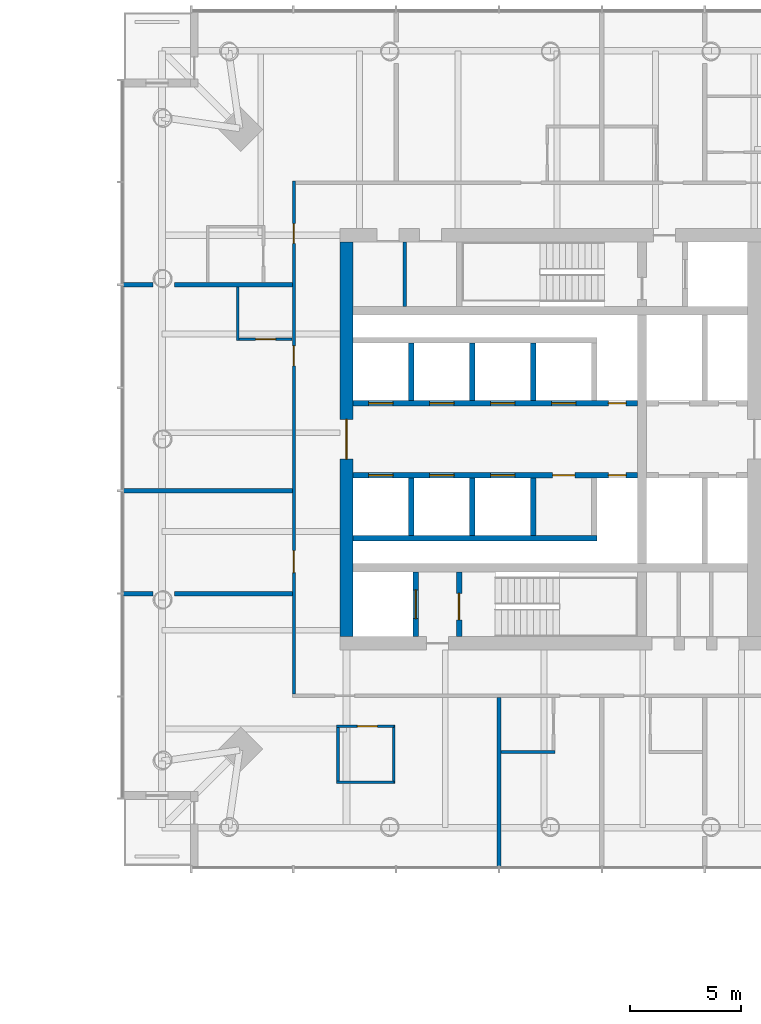
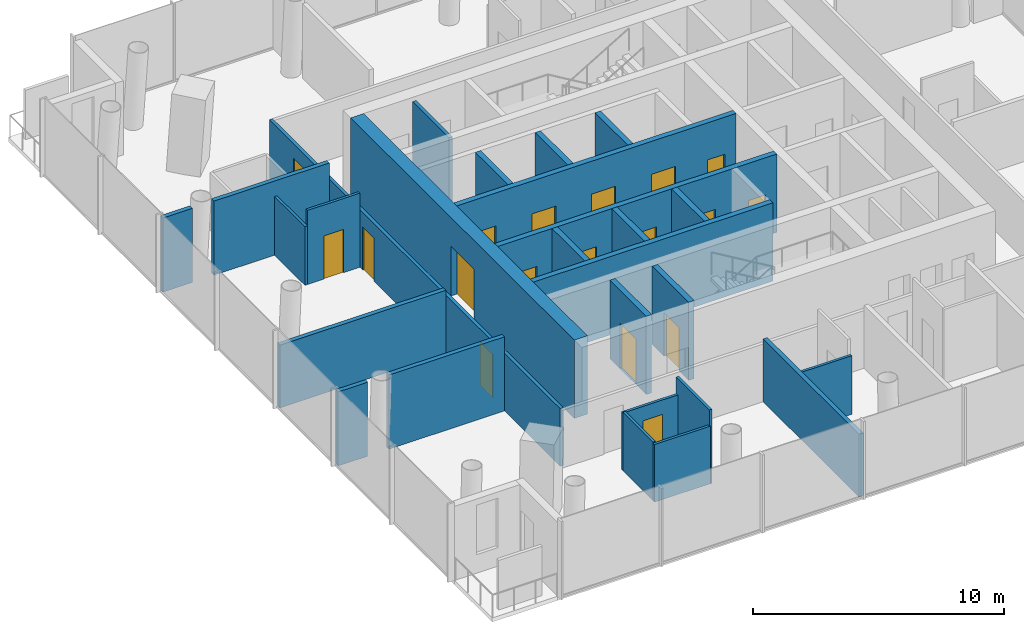
# One storey, part 12 of 18: 27 walls, 18 doors, 18 openings.
"""IFC4 building model written with IfcOpenShell, lengths in metres."""

from ifc_helpers import new_model, si_unit, direction, frame, frame_2d, origin, place, context, subcontext, project, spatial, rectangle, extrude, material, layer, layer_set, type_object, element, fill, save


model = new_model("IFC4")

# Units and contexts
model_context = context("Model", 3, precision=1e-05, world=origin(), true_north=direction((0.0, 1.0)))
body_context = subcontext(model_context, "Body", "Model", "MODEL_VIEW")
ifc_project = project(units=[si_unit("LENGTHUNIT", "METRE"), si_unit("AREAUNIT", "SQUARE_METRE"), si_unit("VOLUMEUNIT", "CUBIC_METRE"), si_unit("PLANEANGLEUNIT", "RADIAN"), si_unit("MASSUNIT", "GRAM", prefix="KILO")], contexts=[model_context])

# Site, building, storey
site_placement = place(None, origin())
site = spatial("IfcSite", under=ifc_project, at=site_placement, CompositionType="ELEMENT")
building_placement = place(site_placement, origin())
building = spatial("IfcBuilding", under=site, at=building_placement, Name="Ostroluk Exchange", CompositionType="ELEMENT")
storey_placement = place(building_placement, frame((0.0, 0.0, 55.199951171875)))
storey = spatial("IfcBuildingStorey", under=building, at=storey_placement, Name="L13", CompositionType="ELEMENT", Elevation=55.199951171875)

# Wall
ifc_material_1 = material(Name="Concrete blockwork", Category="masonry")
ifc_layer_1 = layer(ifc_material_1, 0.14990234375)
ifc_layer_set_1 = layer_set([ifc_layer_1], Name="Blockwork plant room wall 150")
wall_type_1 = type_object("IfcWallType", Name="Blockwork plant room wall 150", PredefinedType="SOLIDWALL", material=ifc_layer_set_1)
wall_1_placement = place(storey_placement, frame((110.425048828125, 52.0, 0.0), z_axis=(0.0, 0.0, 1.0), x_axis=(0.0, 1.0, 0.0)))
element("IfcWall", 1, at=wall_1_placement, inside=storey, type_object=wall_type_1, Name="Core room wall", PredefinedType="SOLIDWALL", context=body_context, shape_type="SweptSolid", body=[
    extrude(rectangle(XDim=2.89990234375, YDim=0.14990234375, at=frame_2d((1.449951171875, 0.0))), origin(), (0.0, 0.0, 1.0), 3.60009765625),
])

# Wall, opening, door
ifc_material_2 = material(Name="Concrete C40/50", Category="concrete")
ifc_layer_2 = layer(ifc_material_2, 0.25)
ifc_layer_set_2 = layer_set([ifc_layer_2], Name="Core shaft wall 250")
wall_type_2 = type_object("IfcWallType", Name="Core shaft wall 250", PredefinedType="SHEAR", material=ifc_layer_set_2)
wall_2_placement = place(storey_placement, frame((110.925048828125, 37.10009765625, 0.0), z_axis=(0.0, 0.0, 1.0), x_axis=(0.0, 1.0, 0.0)))
wall_2 = element("IfcWall", 2, at=wall_2_placement, inside=storey, type_object=wall_type_2, Name="Firefighting lift shaft wall", PredefinedType="SHEAR", context=body_context, shape_type="SweptSolid", body=[
    extrude(rectangle(XDim=2.89990234375, YDim=0.25, at=frame_2d((1.449951171875, 0.0))), origin(), (0.0, 0.0, 1.0), 3.800048828125),
])
opening_1_placement = place(wall_2_placement, frame((0.800048828125, 0.0, 0.0)))
opening_1 = element("IfcOpeningElement", 3, at=opening_1_placement, cuts=wall_2, Name="Opening LD2", PredefinedType="OPENING", context=body_context, shape_type="SweptSolid", body=[
    extrude(rectangle(XDim=1.300048828125, YDim=2.199951171875, at=frame_2d((0.64990234375, 1.10009765625))), frame((0.0, 0.135009765625, 0.0), z_axis=(0.0, -1.0, 0.0), x_axis=(1.0, 0.0, 0.0)), (0.0, 0.0, 1.0), 0.27001953125),
])
ifc_material_3 = material(Name="Stainless steel", Category="steel")
door_type_1 = type_object("IfcDoorType", Name="Lift landing door E 60 1300 x 2200", OperationType="DOUBLE_DOOR_SLIDING", PredefinedType="DOOR", material=ifc_material_3)
door_1_placement = place(opening_1_placement, origin())
door_1 = element("IfcDoor", 4, at=door_1_placement, inside=storey, type_object=door_type_1, Name="Lift HF1 landing door", OperationType="DOUBLE_DOOR_SLIDING", OverallHeight=2.199951171875, OverallWidth=1.300048828125, PredefinedType="DOOR", context=body_context, shape_type="SweptSolid", body=[
    extrude(rectangle(XDim=1.300048828125, YDim=2.199951171875, at=frame_2d((0.64990234375, 1.10009765625))), frame((0.0, 0.02490234375, 0.0), z_axis=(0.0, -1.0, 0.0), x_axis=(1.0, 0.0, 0.0)), (0.0, 0.0, 1.0), 0.050048828125),
])
fill(opening_1, door_1)

wall_3_placement = place(storey_placement, frame((112.875, 37.10009765625, 0.0), z_axis=(0.0, 0.0, 1.0), x_axis=(0.0, 1.0, 0.0)))
wall_3 = element("IfcWall", 5, at=wall_3_placement, inside=storey, type_object=wall_type_2, Name="Stair shaft wall", PredefinedType="SHEAR", context=body_context, shape_type="SweptSolid", body=[
    extrude(rectangle(XDim=2.89990234375, YDim=0.25, at=frame_2d((1.449951171875, 0.0))), origin(), (0.0, 0.0, 1.0), 3.800048828125),
])
opening_2_placement = place(wall_3_placement, frame((0.75, 0.0, 0.0)))
opening_2 = element("IfcOpeningElement", 6, at=opening_2_placement, cuts=wall_3, Name="Opening FD60S", PredefinedType="OPENING", context=body_context, shape_type="SweptSolid", body=[
    extrude(rectangle(XDim=1.199951171875, YDim=2.10009765625, at=frame_2d((0.60009765625, 1.050048828125))), frame((0.0, 0.135009765625, 0.0), z_axis=(0.0, -1.0, 0.0), x_axis=(1.0, 0.0, 0.0)), (0.0, 0.0, 1.0), 0.27001953125),
])
ifc_material_4 = material(Name="Steel", Category="steel")
door_type_2 = type_object("IfcDoorType", Name="Stair door EI 60 1200 x 2100", OperationType="SINGLE_SWING_LEFT", PredefinedType="DOOR", material=ifc_material_4)
door_2_placement = place(opening_2_placement, origin())
door_2 = element("IfcDoor", 7, at=door_2_placement, inside=storey, type_object=door_type_2, Name="Stair T2-S1 door", OperationType="SINGLE_SWING_LEFT", OverallHeight=2.10009765625, OverallWidth=1.199951171875, PredefinedType="DOOR", context=body_context, shape_type="SweptSolid", body=[
    extrude(rectangle(XDim=1.199951171875, YDim=2.10009765625, at=frame_2d((0.60009765625, 1.050048828125))), frame((0.0, 0.02490234375, 0.0), z_axis=(0.0, -1.0, 0.0), x_axis=(1.0, 0.0, 0.0)), (0.0, 0.0, 1.0), 0.050048828125),
])
fill(opening_2, door_2)

# Walls
for number, where, z_axis, x_axis, name in (
    (8, (110.72509765625, 47.75, 0.0), (0.0, 0.0, 1.0), (0.0, 1.0, 0.0), "Lift shaft wall"),
    (9, (113.47509765625, 47.75, 0.0), (0.0, 0.0, 1.0), (0.0, 1.0, 0.0), "Lift shaft wall"),
    (10, (116.22509765625, 47.75, 0.0), (0.0, 0.0, 1.0), (0.0, 1.0, 0.0), "Lift shaft wall"),
):
    element("IfcWall", number, at=place(storey_placement, frame(where, z_axis=z_axis, x_axis=x_axis)), inside=storey, type_object=wall_type_2, Name=name, PredefinedType="SHEAR", context=body_context, shape_type="SweptSolid", body=[
        extrude(rectangle(XDim=2.60009765625, YDim=0.25, at=frame_2d((1.300048828125, 0.0))), origin(), (0.0, 0.0, 1.0), 3.800048828125),
    ])

# Wall, openings, doors
wall_4_placement = place(storey_placement, frame((108.10009765625, 47.625, 0.0), z_axis=(0.0, 0.0, 1.0), x_axis=(1.0, 0.0, 0.0)))
wall_4 = element("IfcWall", 11, at=wall_4_placement, inside=storey, type_object=wall_type_2, Name="Lift shaft front wall", PredefinedType="SHEAR", context=body_context, shape_type="SweptSolid", body=[
    extrude(rectangle(XDim=12.829833984375, YDim=0.25, at=frame_2d((6.4150390625, 0.0))), origin(), (0.0, 0.0, 1.0), 3.800048828125),
])
opening_3_placement = place(wall_4_placement, frame((0.699951171875, 0.0, 0.0)))
opening_3 = element("IfcOpeningElement", 12, at=opening_3_placement, cuts=wall_4, Name="Opening LD", PredefinedType="OPENING", context=body_context, shape_type="SweptSolid", body=[
    extrude(rectangle(XDim=1.10009765625, YDim=2.199951171875, at=frame_2d((0.550048828125, 1.10009765625))), frame((0.0, 0.135009765625, 0.0), z_axis=(0.0, -1.0, 0.0), x_axis=(1.0, 0.0, 0.0)), (0.0, 0.0, 1.0), 0.27001953125),
])
opening_4_placement = place(wall_4_placement, frame((3.449951171875, 0.0, 0.0)))
opening_4 = element("IfcOpeningElement", 13, at=opening_4_placement, cuts=wall_4, Name="Opening LD", PredefinedType="OPENING", context=body_context, shape_type="SweptSolid", body=[
    extrude(rectangle(XDim=1.10009765625, YDim=2.199951171875, at=frame_2d((0.550048828125, 1.10009765625))), frame((0.0, 0.135009765625, 0.0), z_axis=(0.0, -1.0, 0.0), x_axis=(1.0, 0.0, 0.0)), (0.0, 0.0, 1.0), 0.27001953125),
])
opening_5_placement = place(wall_4_placement, frame((6.199951171875, 0.0, 0.0)))
opening_5 = element("IfcOpeningElement", 14, at=opening_5_placement, cuts=wall_4, Name="Opening LD", PredefinedType="OPENING", context=body_context, shape_type="SweptSolid", body=[
    extrude(rectangle(XDim=1.10009765625, YDim=2.199951171875, at=frame_2d((0.550048828125, 1.10009765625))), frame((0.0, 0.135009765625, 0.0), z_axis=(0.0, -1.0, 0.0), x_axis=(1.0, 0.0, 0.0)), (0.0, 0.0, 1.0), 0.27001953125),
])
opening_6_placement = place(wall_4_placement, frame((8.949951171875, 0.0, 0.0)))
opening_6 = element("IfcOpeningElement", 15, at=opening_6_placement, cuts=wall_4, Name="Opening LD", PredefinedType="OPENING", context=body_context, shape_type="SweptSolid", body=[
    extrude(rectangle(XDim=1.10009765625, YDim=2.199951171875, at=frame_2d((0.550048828125, 1.10009765625))), frame((0.0, 0.135009765625, 0.0), z_axis=(0.0, -1.0, 0.0), x_axis=(1.0, 0.0, 0.0)), (0.0, 0.0, 1.0), 0.27001953125),
])
opening_7_placement = place(wall_4_placement, frame((11.514892578125, 0.0, 0.0)))
opening_7 = element("IfcOpeningElement", 16, at=opening_7_placement, cuts=wall_4, Name="Opening RD60", PredefinedType="OPENING", context=body_context, shape_type="SweptSolid", body=[
    extrude(rectangle(XDim=0.800048828125, YDim=2.0, at=frame_2d((0.39990234375, 1.0))), frame((0.0, 0.135009765625, 0.0), z_axis=(0.0, -1.0, 0.0), x_axis=(1.0, 0.0, 0.0)), (0.0, 0.0, 1.0), 0.27001953125),
])
ifc_material_5 = material(Name="Stainless steel", Category="steel")
door_type_3 = type_object("IfcDoorType", Name="Lift landing door E 60 1100 x 2200", OperationType="DOUBLE_DOOR_SLIDING", PredefinedType="DOOR", material=ifc_material_5)
door_3_placement = place(opening_3_placement, origin())
door_3 = element("IfcDoor", 17, at=door_3_placement, inside=storey, type_object=door_type_3, Name="Lift HL1 landing door", OperationType="DOUBLE_DOOR_SLIDING", OverallHeight=2.199951171875, OverallWidth=1.10009765625, PredefinedType="DOOR", context=body_context, shape_type="SweptSolid", body=[
    extrude(rectangle(XDim=1.10009765625, YDim=2.199951171875, at=frame_2d((0.550048828125, 1.10009765625))), frame((0.0, 0.02490234375, 0.0), z_axis=(0.0, -1.0, 0.0), x_axis=(1.0, 0.0, 0.0)), (0.0, 0.0, 1.0), 0.050048828125),
])
fill(opening_3, door_3)
door_4_placement = place(opening_4_placement, origin())
door_4 = element("IfcDoor", 18, at=door_4_placement, inside=storey, type_object=door_type_3, Name="Lift HL2 landing door", OperationType="DOUBLE_DOOR_SLIDING", OverallHeight=2.199951171875, OverallWidth=1.10009765625, PredefinedType="DOOR", context=body_context, shape_type="SweptSolid", body=[
    extrude(rectangle(XDim=1.10009765625, YDim=2.199951171875, at=frame_2d((0.550048828125, 1.10009765625))), frame((0.0, 0.02490234375, 0.0), z_axis=(0.0, -1.0, 0.0), x_axis=(1.0, 0.0, 0.0)), (0.0, 0.0, 1.0), 0.050048828125),
])
fill(opening_4, door_4)
door_5_placement = place(opening_5_placement, origin())
door_5 = element("IfcDoor", 19, at=door_5_placement, inside=storey, type_object=door_type_3, Name="Lift HL3 landing door", OperationType="DOUBLE_DOOR_SLIDING", OverallHeight=2.199951171875, OverallWidth=1.10009765625, PredefinedType="DOOR", context=body_context, shape_type="SweptSolid", body=[
    extrude(rectangle(XDim=1.10009765625, YDim=2.199951171875, at=frame_2d((0.550048828125, 1.10009765625))), frame((0.0, 0.02490234375, 0.0), z_axis=(0.0, -1.0, 0.0), x_axis=(1.0, 0.0, 0.0)), (0.0, 0.0, 1.0), 0.050048828125),
])
fill(opening_5, door_5)
door_6_placement = place(opening_6_placement, origin())
door_6 = element("IfcDoor", 20, at=door_6_placement, inside=storey, type_object=door_type_3, Name="Lift HL4 landing door", OperationType="DOUBLE_DOOR_SLIDING", OverallHeight=2.199951171875, OverallWidth=1.10009765625, PredefinedType="DOOR", context=body_context, shape_type="SweptSolid", body=[
    extrude(rectangle(XDim=1.10009765625, YDim=2.199951171875, at=frame_2d((0.550048828125, 1.10009765625))), frame((0.0, 0.02490234375, 0.0), z_axis=(0.0, -1.0, 0.0), x_axis=(1.0, 0.0, 0.0)), (0.0, 0.0, 1.0), 0.050048828125),
])
fill(opening_6, door_6)
ifc_material_6 = material(Name="Steel", Category="steel")
door_type_4 = type_object("IfcDoorType", Name="Riser access door EI 60 800 x 2000", OperationType="SINGLE_SWING_LEFT", PredefinedType="DOOR", material=ifc_material_6)
door_7_placement = place(opening_7_placement, origin())
door_7 = element("IfcDoor", 21, at=door_7_placement, inside=storey, type_object=door_type_4, Name="Riser access door", OperationType="SINGLE_SWING_RIGHT", OverallHeight=2.0, OverallWidth=0.800048828125, PredefinedType="DOOR", context=body_context, shape_type="SweptSolid", body=[
    extrude(rectangle(XDim=0.800048828125, YDim=2.0, at=frame_2d((0.39990234375, 1.0))), frame((0.0, 0.02490234375, 0.0), z_axis=(0.0, -1.0, 0.0), x_axis=(1.0, 0.0, 0.0)), (0.0, 0.0, 1.0), 0.050048828125),
])
fill(opening_7, door_7)

# Walls
for number, where, z_axis, x_axis, name in (
    (22, (110.72509765625, 44.25, 0.0), (0.0, 0.0, 1.0), (0.0, -1.0, 0.0), "Lift shaft wall"),
    (23, (113.47509765625, 44.25, 0.0), (0.0, 0.0, 1.0), (0.0, -1.0, 0.0), "Lift shaft wall"),
    (24, (116.22509765625, 44.25, 0.0), (0.0, 0.0, 1.0), (0.0, -1.0, 0.0), "Lift shaft wall"),
):
    element("IfcWall", number, at=place(storey_placement, frame(where, z_axis=z_axis, x_axis=x_axis)), inside=storey, type_object=wall_type_2, Name=name, PredefinedType="SHEAR", context=body_context, shape_type="SweptSolid", body=[
        extrude(rectangle(XDim=2.60009765625, YDim=0.25, at=frame_2d((1.300048828125, 0.0))), origin(), (0.0, 0.0, 1.0), 3.800048828125),
    ])
wall_5_placement = place(storey_placement, frame((108.10009765625, 41.52490234375, 0.0), z_axis=(0.0, 0.0, 1.0), x_axis=(1.0, 0.0, 0.0)))
element("IfcWall", 25, at=wall_5_placement, inside=storey, type_object=wall_type_2, Name="Lift shaft wall", PredefinedType="SHEAR", context=body_context, shape_type="SweptSolid", body=[
    extrude(rectangle(XDim=11.0, YDim=0.25, at=frame_2d((5.5, 0.0))), origin(), (0.0, 0.0, 1.0), 3.800048828125),
])

# Wall, openings, doors
wall_6_placement = place(storey_placement, frame((108.10009765625, 44.375, 0.0), z_axis=(0.0, 0.0, 1.0), x_axis=(1.0, 0.0, 0.0)))
wall_6 = element("IfcWall", 26, at=wall_6_placement, inside=storey, type_object=wall_type_2, Name="Lift shaft front wall", PredefinedType="SHEAR", context=body_context, shape_type="SweptSolid", body=[
    extrude(rectangle(XDim=12.829833984375, YDim=0.25, at=frame_2d((6.4150390625, 0.0))), origin(), (0.0, 0.0, 1.0), 3.800048828125),
])
opening_8_placement = place(wall_6_placement, frame((0.699951171875, 0.0, 0.0)))
opening_8 = element("IfcOpeningElement", 27, at=opening_8_placement, cuts=wall_6, Name="Opening LD", PredefinedType="OPENING", context=body_context, shape_type="SweptSolid", body=[
    extrude(rectangle(XDim=1.10009765625, YDim=2.199951171875, at=frame_2d((0.550048828125, 1.10009765625))), frame((0.0, 0.135009765625, 0.0), z_axis=(0.0, -1.0, 0.0), x_axis=(1.0, 0.0, 0.0)), (0.0, 0.0, 1.0), 0.27001953125),
])
opening_9_placement = place(wall_6_placement, frame((3.449951171875, 0.0, 0.0)))
opening_9 = element("IfcOpeningElement", 28, at=opening_9_placement, cuts=wall_6, Name="Opening LD", PredefinedType="OPENING", context=body_context, shape_type="SweptSolid", body=[
    extrude(rectangle(XDim=1.10009765625, YDim=2.199951171875, at=frame_2d((0.550048828125, 1.10009765625))), frame((0.0, 0.135009765625, 0.0), z_axis=(0.0, -1.0, 0.0), x_axis=(1.0, 0.0, 0.0)), (0.0, 0.0, 1.0), 0.27001953125),
])
opening_10_placement = place(wall_6_placement, frame((6.199951171875, 0.0, 0.0)))
opening_10 = element("IfcOpeningElement", 29, at=opening_10_placement, cuts=wall_6, Name="Opening LD", PredefinedType="OPENING", context=body_context, shape_type="SweptSolid", body=[
    extrude(rectangle(XDim=1.10009765625, YDim=2.199951171875, at=frame_2d((0.550048828125, 1.10009765625))), frame((0.0, 0.135009765625, 0.0), z_axis=(0.0, -1.0, 0.0), x_axis=(1.0, 0.0, 0.0)), (0.0, 0.0, 1.0), 0.27001953125),
])
opening_11_placement = place(wall_6_placement, frame((9.0, 0.0, 0.0)))
opening_11 = element("IfcOpeningElement", 30, at=opening_11_placement, cuts=wall_6, Name="Opening FD60", PredefinedType="OPENING", context=body_context, shape_type="SweptSolid", body=[
    extrude(rectangle(XDim=1.0, YDim=2.10009765625, at=frame_2d((0.5, 1.050048828125))), frame((0.0, 0.135009765625, 0.0), z_axis=(0.0, -1.0, 0.0), x_axis=(1.0, 0.0, 0.0)), (0.0, 0.0, 1.0), 0.27001953125),
])
opening_12_placement = place(wall_6_placement, frame((11.514892578125, 0.0, 0.0)))
opening_12 = element("IfcOpeningElement", 31, at=opening_12_placement, cuts=wall_6, Name="Opening RD60", PredefinedType="OPENING", context=body_context, shape_type="SweptSolid", body=[
    extrude(rectangle(XDim=0.800048828125, YDim=2.0, at=frame_2d((0.39990234375, 1.0))), frame((0.0, 0.135009765625, 0.0), z_axis=(0.0, -1.0, 0.0), x_axis=(1.0, 0.0, 0.0)), (0.0, 0.0, 1.0), 0.27001953125),
])
ifc_material_7 = material(Name="Steel", Category="steel")
door_type_5 = type_object("IfcDoorType", Name="Fire door EI 60 1000 x 2100", OperationType="SINGLE_SWING_LEFT", PredefinedType="DOOR", material=ifc_material_7)
door_8_placement = place(opening_11_placement, origin())
door_8 = element("IfcDoor", 32, at=door_8_placement, inside=storey, type_object=door_type_5, Name="Core room door", OperationType="SINGLE_SWING_RIGHT", OverallHeight=2.10009765625, OverallWidth=1.0, PredefinedType="DOOR", context=body_context, shape_type="SweptSolid", body=[
    extrude(rectangle(XDim=1.0, YDim=2.10009765625, at=frame_2d((0.5, 1.050048828125))), frame((0.0, 0.02490234375, 0.0), z_axis=(0.0, -1.0, 0.0), x_axis=(1.0, 0.0, 0.0)), (0.0, 0.0, 1.0), 0.050048828125),
])
fill(opening_11, door_8)
door_9_placement = place(opening_8_placement, origin())
door_9 = element("IfcDoor", 33, at=door_9_placement, inside=storey, type_object=door_type_3, Name="Lift HL5 landing door", OperationType="DOUBLE_DOOR_SLIDING", OverallHeight=2.199951171875, OverallWidth=1.10009765625, PredefinedType="DOOR", context=body_context, shape_type="SweptSolid", body=[
    extrude(rectangle(XDim=1.10009765625, YDim=2.199951171875, at=frame_2d((0.550048828125, 1.10009765625))), frame((0.0, 0.02490234375, 0.0), z_axis=(0.0, -1.0, 0.0), x_axis=(1.0, 0.0, 0.0)), (0.0, 0.0, 1.0), 0.050048828125),
])
fill(opening_8, door_9)
door_10_placement = place(opening_9_placement, origin())
door_10 = element("IfcDoor", 34, at=door_10_placement, inside=storey, type_object=door_type_3, Name="Lift HL6 landing door", OperationType="DOUBLE_DOOR_SLIDING", OverallHeight=2.199951171875, OverallWidth=1.10009765625, PredefinedType="DOOR", context=body_context, shape_type="SweptSolid", body=[
    extrude(rectangle(XDim=1.10009765625, YDim=2.199951171875, at=frame_2d((0.550048828125, 1.10009765625))), frame((0.0, 0.02490234375, 0.0), z_axis=(0.0, -1.0, 0.0), x_axis=(1.0, 0.0, 0.0)), (0.0, 0.0, 1.0), 0.050048828125),
])
fill(opening_9, door_10)
door_11_placement = place(opening_10_placement, origin())
door_11 = element("IfcDoor", 35, at=door_11_placement, inside=storey, type_object=door_type_3, Name="Lift HL7 landing door", OperationType="DOUBLE_DOOR_SLIDING", OverallHeight=2.199951171875, OverallWidth=1.10009765625, PredefinedType="DOOR", context=body_context, shape_type="SweptSolid", body=[
    extrude(rectangle(XDim=1.10009765625, YDim=2.199951171875, at=frame_2d((0.550048828125, 1.10009765625))), frame((0.0, 0.02490234375, 0.0), z_axis=(0.0, -1.0, 0.0), x_axis=(1.0, 0.0, 0.0)), (0.0, 0.0, 1.0), 0.050048828125),
])
fill(opening_10, door_11)
door_12_placement = place(opening_12_placement, origin())
door_12 = element("IfcDoor", 36, at=door_12_placement, inside=storey, type_object=door_type_4, Name="Riser access door", OperationType="SINGLE_SWING_RIGHT", OverallHeight=2.0, OverallWidth=0.800048828125, PredefinedType="DOOR", context=body_context, shape_type="SweptSolid", body=[
    extrude(rectangle(XDim=0.800048828125, YDim=2.0, at=frame_2d((0.39990234375, 1.0))), frame((0.0, 0.02490234375, 0.0), z_axis=(0.0, -1.0, 0.0), x_axis=(1.0, 0.0, 0.0)), (0.0, 0.0, 1.0), 0.050048828125),
])
fill(opening_12, door_12)

# Wall, opening, door
ifc_material_8 = material(Name="Concrete C50/60", Category="concrete")
ifc_layer_3 = layer(ifc_material_8, 0.60009765625)
ifc_layer_set_3 = layer_set([ifc_layer_3], Name="Core wall 600 C50/60")
wall_type_3 = type_object("IfcWallType", Name="Core wall 600 C50/60", PredefinedType="SHEAR", material=ifc_layer_set_3)
wall_7_placement = place(storey_placement, frame((107.800048828125, 37.10009765625, 0.0), z_axis=(0.0, 0.0, 1.0), x_axis=(0.0, 1.0, 0.0)))
wall_7 = element("IfcWall", 37, at=wall_7_placement, inside=storey, type_object=wall_type_3, Name="T2 core wall W", PredefinedType="SHEAR", context=body_context, shape_type="SweptSolid", body=[
    extrude(rectangle(XDim=17.7998046875, YDim=0.60009765625, at=frame_2d((8.89990234375, 0.0))), origin(), (0.0, 0.0, 1.0), 3.800048828125),
])
opening_13_placement = place(wall_7_placement, frame((8.0, 0.0, 0.0)))
opening_13 = element("IfcOpeningElement", 38, at=opening_13_placement, cuts=wall_7, Name="Opening FD30D", PredefinedType="OPENING", context=body_context, shape_type="SweptSolid", body=[
    extrude(rectangle(XDim=1.800048828125, YDim=2.39990234375, at=frame_2d((0.89990234375, 1.199951171875))), frame((0.0, 0.31005859375, 0.0), z_axis=(0.0, -1.0, 0.0), x_axis=(1.0, 0.0, 0.0)), (0.0, 0.0, 1.0), 0.6201171875),
])
ifc_material_9 = material(Name="Timber", Category="wood")
door_type_6 = type_object("IfcDoorType", Name="Lobby double door EI 30 1800 x 2400", OperationType="DOUBLE_DOOR_SINGLE_SWING", PredefinedType="DOOR", material=ifc_material_9)
door_13_placement = place(opening_13_placement, origin())
door_13 = element("IfcDoor", 39, at=door_13_placement, inside=storey, type_object=door_type_6, Name="Lift lobby doors", OperationType="DOUBLE_DOOR_SINGLE_SWING", OverallHeight=2.39990234375, OverallWidth=1.800048828125, PredefinedType="DOOR", context=body_context, shape_type="SweptSolid", body=[
    extrude(rectangle(XDim=1.800048828125, YDim=2.39990234375, at=frame_2d((0.89990234375, 1.199951171875))), frame((0.0, 0.02490234375, 0.0), z_axis=(0.0, -1.0, 0.0), x_axis=(1.0, 0.0, 0.0)), (0.0, 0.0, 1.0), 0.050048828125),
])
fill(opening_13, door_13)

# Wall
ifc_material_10 = material(Name="Gypsum plasterboard partition, moisture resistant", Category="gypsum")
ifc_layer_4 = layer(ifc_material_10, 0.1201171875)
ifc_layer_set_4 = layer_set([ifc_layer_4], Name="Plasterboard en-suite wall 120")
wall_type_4 = type_object("IfcWallType", Name="Plasterboard en-suite wall 120", PredefinedType="PARTITIONING", material=ifc_layer_set_4)
wall_8_placement = place(storey_placement, frame((102.889892578125, 52.8642578125, 0.0), z_axis=(0.0, 0.0, 1.0), x_axis=(0.0, -1.0, 0.0)))
element("IfcWall", 40, at=wall_8_placement, inside=storey, type_object=wall_type_4, Name="En-suite wall", PredefinedType="PARTITIONING", context=body_context, shape_type="SweptSolid", body=[
    extrude(rectangle(XDim=2.419921875, YDim=0.1201171875, at=frame_2d((1.2099609375, 0.0))), origin(), (0.0, 0.0, 1.0), 2.84716796875),
])

# Wall, opening, door
wall_9_placement = place(storey_placement, frame((105.35009765625, 50.50439453125, 0.0), z_axis=(0.0, 0.0, 1.0), x_axis=(-1.0, 0.0, 0.0)))
wall_9 = element("IfcWall", 41, at=wall_9_placement, inside=storey, type_object=wall_type_4, Name="En-suite wall", PredefinedType="PARTITIONING", context=body_context, shape_type="SweptSolid", body=[
    extrude(rectangle(XDim=2.400146484375, YDim=0.1201171875, at=frame_2d((1.2001953125, 0.0))), origin(), (0.0, 0.0, 1.0), 3.60009765625),
])
opening_14_placement = place(wall_9_placement, frame((0.75, 0.0, 0.0)))
opening_14 = element("IfcOpeningElement", 42, at=opening_14_placement, cuts=wall_9, Name="Opening D-02", PredefinedType="OPENING", context=body_context, shape_type="SweptSolid", body=[
    extrude(rectangle(XDim=0.89990234375, YDim=2.10009765625, at=frame_2d((0.449951171875, 1.050048828125))), frame((0.0, 0.070068359375, 0.0), z_axis=(0.0, -1.0, 0.0), x_axis=(1.0, 0.0, 0.0)), (0.0, 0.0, 1.0), 0.14013671875),
])
ifc_material_11 = material(Name="Timber", Category="wood")
door_type_7 = type_object("IfcDoorType", Name="En-suite door 900 x 2100", OperationType="SINGLE_SWING_LEFT", PredefinedType="DOOR", material=ifc_material_11)
door_14_placement = place(opening_14_placement, origin())
door_14 = element("IfcDoor", 43, at=door_14_placement, inside=storey, type_object=door_type_7, Name="En-suite door 1307", OperationType="SINGLE_SWING_RIGHT", OverallHeight=2.10009765625, OverallWidth=0.89990234375, PredefinedType="DOOR", context=body_context, shape_type="SweptSolid", body=[
    extrude(rectangle(XDim=0.89990234375, YDim=2.10009765625, at=frame_2d((0.449951171875, 1.050048828125))), frame((0.0, 0.02490234375, 0.0), z_axis=(0.0, -1.0, 0.0), x_axis=(1.0, 0.0, 0.0)), (0.0, 0.0, 1.0), 0.050048828125),
])
fill(opening_14, door_14)

wall_10_placement = place(storey_placement, frame((109.935791015625, 33.050048828125, 0.0), z_axis=(0.0, 0.0, 1.0), x_axis=(-1.0, 0.0, 0.0)))
wall_10 = element("IfcWall", 44, at=wall_10_placement, inside=storey, type_object=wall_type_4, Name="En-suite wall", PredefinedType="PARTITIONING", context=body_context, shape_type="SweptSolid", body=[
    extrude(rectangle(XDim=2.580078125, YDim=0.1201171875, at=frame_2d((1.2900390625, 0.0))), origin(), (0.0, 0.0, 1.0), 2.800048828125),
])
opening_15_placement = place(wall_10_placement, frame((0.75, 0.0, 0.0)))
opening_15 = element("IfcOpeningElement", 45, at=opening_15_placement, cuts=wall_10, Name="Opening D-02", PredefinedType="OPENING", context=body_context, shape_type="SweptSolid", body=[
    extrude(rectangle(XDim=0.89990234375, YDim=2.10009765625, at=frame_2d((0.449951171875, 1.050048828125))), frame((0.0, 0.070068359375, 0.0), z_axis=(0.0, -1.0, 0.0), x_axis=(1.0, 0.0, 0.0)), (0.0, 0.0, 1.0), 0.14013671875),
])
door_15_placement = place(opening_15_placement, origin())
door_15 = element("IfcDoor", 46, at=door_15_placement, inside=storey, type_object=door_type_7, Name="En-suite door 1308", OperationType="SINGLE_SWING_LEFT", OverallHeight=2.10009765625, OverallWidth=0.89990234375, PredefinedType="DOOR", context=body_context, shape_type="SweptSolid", body=[
    extrude(rectangle(XDim=0.89990234375, YDim=2.10009765625, at=frame_2d((0.449951171875, 1.050048828125))), frame((0.0, 0.02490234375, 0.0), z_axis=(0.0, -1.0, 0.0), x_axis=(1.0, 0.0, 0.0)), (0.0, 0.0, 1.0), 0.050048828125),
])
fill(opening_15, door_15)

# Walls
wall_11_placement = place(storey_placement, frame((109.935791015625, 30.530029296875, 0.0), z_axis=(0.0, 0.0, 1.0), x_axis=(-1.0, 0.0, 0.0)))
element("IfcWall", 47, at=wall_11_placement, inside=storey, type_object=wall_type_4, Name="En-suite wall", PredefinedType="PARTITIONING", context=body_context, shape_type="SweptSolid", body=[
    extrude(rectangle(XDim=2.580078125, YDim=0.1201171875, at=frame_2d((1.2900390625, 0.0))), origin(), (0.0, 0.0, 1.0), 2.800048828125),
])
wall_12_placement = place(storey_placement, frame((107.415771484375, 32.989990234375, 0.0), z_axis=(0.0, 0.0, 1.0), x_axis=(0.0, -1.0, 0.0)))
element("IfcWall", 48, at=wall_12_placement, inside=storey, type_object=wall_type_4, Name="En-suite wall", PredefinedType="PARTITIONING", context=body_context, shape_type="SweptSolid", body=[
    extrude(rectangle(XDim=2.39990234375, YDim=0.1201171875, at=frame_2d((1.199951171875, 0.0))), origin(), (0.0, 0.0, 1.0), 2.84716796875),
])
wall_13_placement = place(storey_placement, frame((109.935791015625, 33.110107421875, 0.0), z_axis=(0.0, 0.0, 1.0), x_axis=(0.0, -1.0, 0.0)))
element("IfcWall", 49, at=wall_13_placement, inside=storey, type_object=wall_type_4, Name="En-suite wall", PredefinedType="PARTITIONING", context=body_context, shape_type="SweptSolid", body=[
    extrude(rectangle(XDim=2.64013671875, YDim=0.1201171875, at=frame_2d((1.320068359375, 0.0))), origin(), (0.0, 0.0, 1.0), 3.60009765625),
])
wall_14_placement = place(storey_placement, frame((114.778564453125, 31.889892578125, 0.0), z_axis=(0.0, 0.0, 1.0), x_axis=(1.0, 0.0, 0.0)))
element("IfcWall", 50, at=wall_14_placement, inside=storey, type_object=wall_type_4, Name="En-suite wall", PredefinedType="PARTITIONING", context=body_context, shape_type="SweptSolid", body=[
    extrude(rectangle(XDim=2.419921875, YDim=0.1201171875, at=frame_2d((1.2099609375, 0.0))), origin(), (0.0, 0.0, 1.0), 2.84716796875),
])

# Wall, openings, doors
ifc_material_12 = material(Name="Gypsum plasterboard partition", Category="gypsum")
ifc_layer_5 = layer(ifc_material_12, 0.14990234375)
ifc_layer_set_5 = layer_set([ifc_layer_5], Name="Plasterboard partition 150")
wall_type_5 = type_object("IfcWallType", Name="Plasterboard partition 150", PredefinedType="PARTITIONING", material=ifc_layer_set_5)
wall_15_placement = place(storey_placement, frame((105.425048828125, 57.64990234375, 0.0), z_axis=(0.0, 0.0, 1.0), x_axis=(0.0, -1.0, 0.0)))
wall_15 = element("IfcWall", 51, at=wall_15_placement, inside=storey, type_object=wall_type_5, Name="Corridor wall", PredefinedType="PARTITIONING", context=body_context, shape_type="SweptSolid", body=[
    extrude(rectangle(XDim=23.14990234375, YDim=0.14990234375, at=frame_2d((11.574951171875, 0.0))), origin(), (0.0, 0.0, 1.0), 2.800048828125),
])
opening_16_placement = place(wall_15_placement, frame((1.91796875, 0.0, 0.0)))
opening_16 = element("IfcOpeningElement", 52, at=opening_16_placement, cuts=wall_15, Name="Opening D-01", PredefinedType="OPENING", context=body_context, shape_type="SweptSolid", body=[
    extrude(rectangle(XDim=0.89990234375, YDim=2.10009765625, at=frame_2d((0.449951171875, 1.050048828125))), frame((0.0, 0.0849609375, 0.0), z_axis=(0.0, -1.0, 0.0), x_axis=(1.0, 0.0, 0.0)), (0.0, 0.0, 1.0), 0.169921875),
])
opening_17_placement = place(wall_15_placement, frame((7.435791015625, 0.0, 0.0)))
opening_17 = element("IfcOpeningElement", 53, at=opening_17_placement, cuts=wall_15, Name="Opening D-01", PredefinedType="OPENING", context=body_context, shape_type="SweptSolid", body=[
    extrude(rectangle(XDim=0.89990234375, YDim=2.10009765625, at=frame_2d((0.449951171875, 1.050048828125))), frame((0.0, 0.0849609375, 0.0), z_axis=(0.0, -1.0, 0.0), x_axis=(1.0, 0.0, 0.0)), (0.0, 0.0, 1.0), 0.169921875),
])
opening_18_placement = place(wall_15_placement, frame((16.67138671875, 0.0, 0.0)))
opening_18 = element("IfcOpeningElement", 54, at=opening_18_placement, cuts=wall_15, Name="Opening D-03", PredefinedType="OPENING", context=body_context, shape_type="SweptSolid", body=[
    extrude(rectangle(XDim=1.0, YDim=2.10009765625, at=frame_2d((0.5, 1.050048828125))), frame((0.0, 0.0849609375, 0.0), z_axis=(0.0, -1.0, 0.0), x_axis=(1.0, 0.0, 0.0)), (0.0, 0.0, 1.0), 0.169921875),
])
ifc_material_13 = material(Name="Timber", Category="wood")
door_type_8 = type_object("IfcDoorType", Name="Hotel room door EI 30 Sa 900 x 2100", OperationType="SINGLE_SWING_LEFT", PredefinedType="DOOR", material=ifc_material_13)
door_16_placement = place(opening_16_placement, origin())
door_16 = element("IfcDoor", 55, at=door_16_placement, inside=storey, type_object=door_type_8, Name="Room door 1306", OperationType="SINGLE_SWING_LEFT", OverallHeight=2.10009765625, OverallWidth=0.89990234375, PredefinedType="DOOR", context=body_context, shape_type="SweptSolid", body=[
    extrude(rectangle(XDim=0.89990234375, YDim=2.10009765625, at=frame_2d((0.449951171875, 1.050048828125))), frame((0.0, 0.02490234375, 0.0), z_axis=(0.0, -1.0, 0.0), x_axis=(1.0, 0.0, 0.0)), (0.0, 0.0, 1.0), 0.050048828125),
])
fill(opening_16, door_16)
door_17_placement = place(opening_17_placement, origin())
door_17 = element("IfcDoor", 56, at=door_17_placement, inside=storey, type_object=door_type_8, Name="Room door 1307", OperationType="SINGLE_SWING_LEFT", OverallHeight=2.10009765625, OverallWidth=0.89990234375, PredefinedType="DOOR", context=body_context, shape_type="SweptSolid", body=[
    extrude(rectangle(XDim=0.89990234375, YDim=2.10009765625, at=frame_2d((0.449951171875, 1.050048828125))), frame((0.0, 0.02490234375, 0.0), z_axis=(0.0, -1.0, 0.0), x_axis=(1.0, 0.0, 0.0)), (0.0, 0.0, 1.0), 0.050048828125),
])
fill(opening_17, door_17)
ifc_material_14 = material(Name="Timber", Category="wood")
door_type_9 = type_object("IfcDoorType", Name="Internal door 1000 x 2100", OperationType="SINGLE_SWING_LEFT", PredefinedType="DOOR", material=ifc_material_14)
door_18_placement = place(opening_18_placement, origin())
door_18 = element("IfcDoor", 57, at=door_18_placement, inside=storey, type_object=door_type_9, Name="Housekeeping store door", OperationType="SINGLE_SWING_RIGHT", OverallHeight=2.10009765625, OverallWidth=1.0, PredefinedType="DOOR", context=body_context, shape_type="SweptSolid", body=[
    extrude(rectangle(XDim=1.0, YDim=2.10009765625, at=frame_2d((0.5, 1.050048828125))), frame((0.0, 0.02490234375, 0.0), z_axis=(0.0, -1.0, 0.0), x_axis=(1.0, 0.0, 0.0)), (0.0, 0.0, 1.0), 0.050048828125),
])
fill(opening_18, door_18)

# Walls
ifc_material_15 = material(Name="Gypsum plasterboard partition", Category="gypsum")
ifc_layer_6 = layer(ifc_material_15, 0.199951171875)
ifc_layer_set_6 = layer_set([ifc_layer_6], Name="Plasterboard party wall 200")
wall_type_6 = type_object("IfcWallType", Name="Plasterboard party wall 200", PredefinedType="PARTITIONING", material=ifc_layer_set_6)
wall_16_placement = place(storey_placement, frame((105.35009765625, 52.96435546875, 0.0), z_axis=(0.0, 0.0, 1.0), x_axis=(-1.0, 0.0, 0.0)))
element("IfcWall", 58, at=wall_16_placement, inside=storey, type_object=wall_type_6, Name="Party wall", PredefinedType="PARTITIONING", context=body_context, shape_type="SweptSolid", body=[
    extrude(rectangle(XDim=5.3056640625, YDim=0.199951171875, at=frame_2d((2.65283203125, 0.0))), origin(), (0.0, 0.0, 1.0), 3.60009765625),
])
wall_17_placement = place(storey_placement, frame((99.067626953125, 52.96435546875, 0.0), z_axis=(0.0, 0.0, 1.0), x_axis=(-1.0, 0.0, 0.0)))
element("IfcWall", 59, at=wall_17_placement, inside=storey, type_object=wall_type_6, Name="Party wall", PredefinedType="PARTITIONING", context=body_context, shape_type="SweptSolid", body=[
    extrude(rectangle(XDim=1.357666015625, YDim=0.199951171875, at=frame_2d((0.6787109375, 0.0))), origin(), (0.0, 0.0, 1.0), 3.60009765625),
])
wall_18_placement = place(storey_placement, frame((105.35009765625, 43.678466796875, 0.0), z_axis=(0.0, 0.0, 1.0), x_axis=(-1.0, 0.0, 0.0)))
element("IfcWall", 60, at=wall_18_placement, inside=storey, type_object=wall_type_6, Name="Party wall", PredefinedType="PARTITIONING", context=body_context, shape_type="SweptSolid", body=[
    extrude(rectangle(XDim=7.64013671875, YDim=0.199951171875, at=frame_2d((3.820068359375, 0.0))), origin(), (0.0, 0.0, 1.0), 3.050048828125),
])
wall_19_placement = place(storey_placement, frame((105.35009765625, 39.03564453125, 0.0), z_axis=(0.0, 0.0, 1.0), x_axis=(-1.0, 0.0, 0.0)))
element("IfcWall", 61, at=wall_19_placement, inside=storey, type_object=wall_type_6, Name="Party wall", PredefinedType="PARTITIONING", context=body_context, shape_type="SweptSolid", body=[
    extrude(rectangle(XDim=5.3056640625, YDim=0.199951171875, at=frame_2d((2.65283203125, 0.0))), origin(), (0.0, 0.0, 1.0), 3.60009765625),
])
wall_20_placement = place(storey_placement, frame((99.067626953125, 39.03564453125, 0.0), z_axis=(0.0, 0.0, 1.0), x_axis=(-1.0, 0.0, 0.0)))
element("IfcWall", 62, at=wall_20_placement, inside=storey, type_object=wall_type_6, Name="Party wall", PredefinedType="PARTITIONING", context=body_context, shape_type="SweptSolid", body=[
    extrude(rectangle(XDim=1.357666015625, YDim=0.199951171875, at=frame_2d((0.6787109375, 0.0))), origin(), (0.0, 0.0, 1.0), 3.60009765625),
])
wall_21_placement = place(storey_placement, frame((114.678466796875, 34.35009765625, 0.0), z_axis=(0.0, 0.0, 1.0), x_axis=(0.0, -1.0, 0.0)))
element("IfcWall", 63, at=wall_21_placement, inside=storey, type_object=wall_type_6, Name="Party wall", PredefinedType="PARTITIONING", context=body_context, shape_type="SweptSolid", body=[
    extrude(rectangle(XDim=7.64013671875, YDim=0.199951171875, at=frame_2d((3.820068359375, 0.0))), origin(), (0.0, 0.0, 1.0), 3.050048828125),
])

save(model, "model.ifc")
